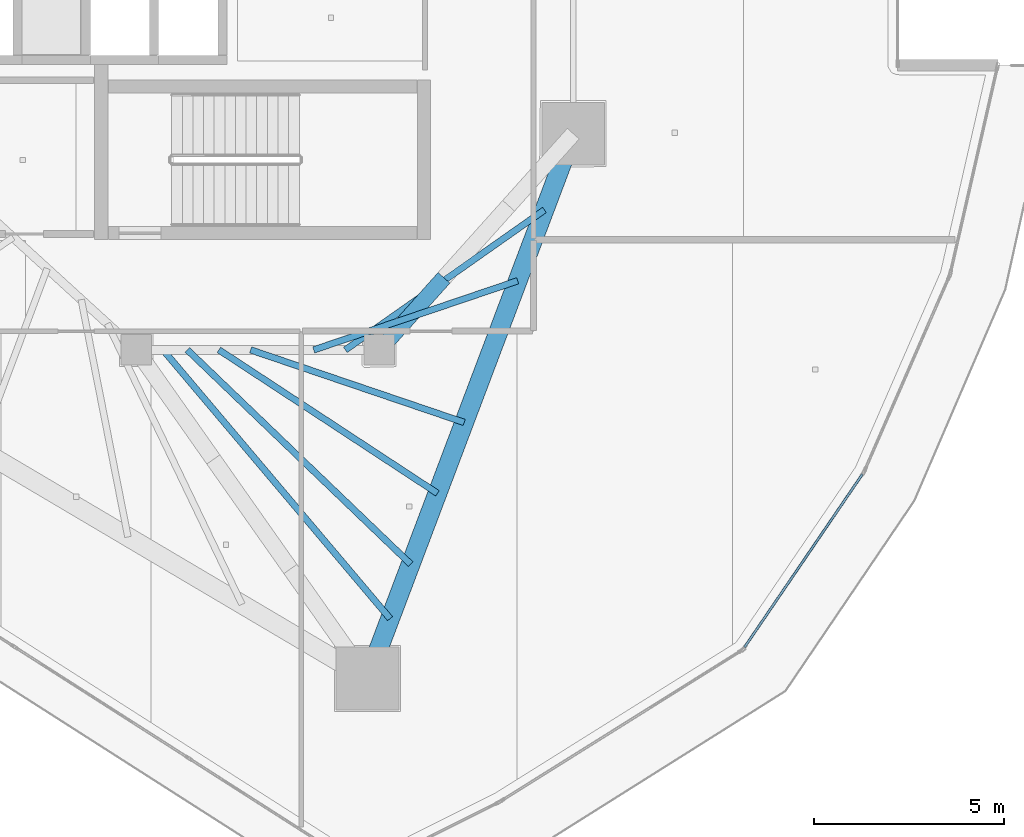
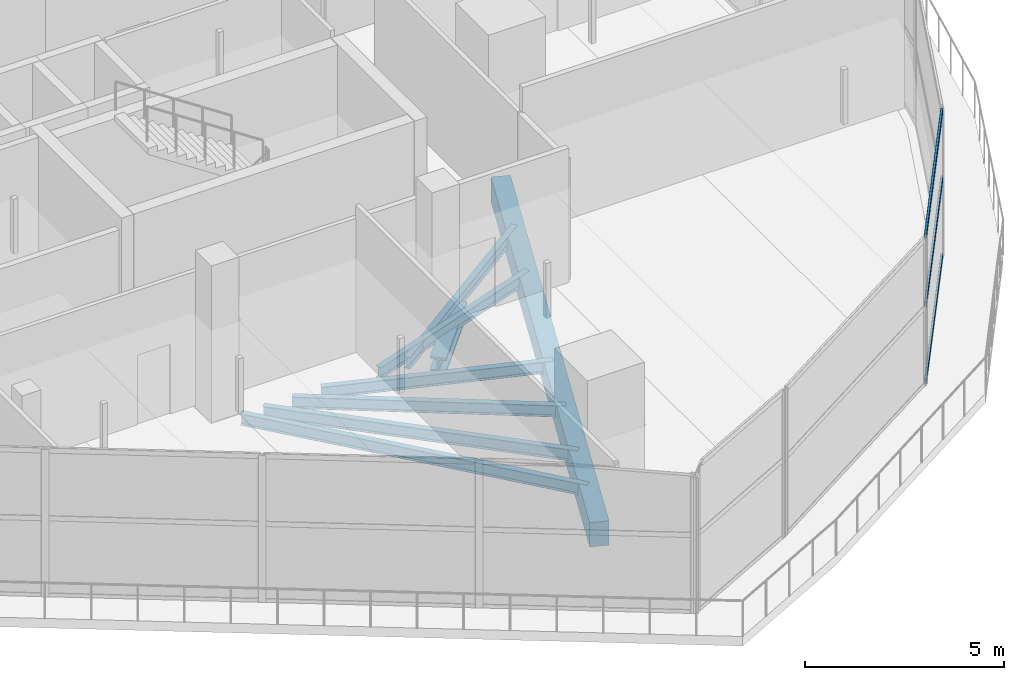
# One storey, part 10 of 36: 7 beams, 4 members, 1 element without a shape of its own.
"""IFC4 building model written with IfcOpenShell, lengths in metres."""

from ifc_helpers import new_model, si_unit, direction, frame, origin, origin_2d, place, context, subcontext, project, spatial, rectangle, hollow_rectangle, i_section, extrude, material, layer, layer_set, material_profile, profile_set, type_object, element, aggregate, save


model = new_model("IFC4")

# Units and contexts
model_context = context("Model", 3, precision=1e-05, world=origin(), true_north=direction((0.0, 1.0)))
body_context = subcontext(model_context, "Body", "Model", "MODEL_VIEW")
ifc_project = project(units=[si_unit("LENGTHUNIT", "METRE"), si_unit("AREAUNIT", "SQUARE_METRE"), si_unit("VOLUMEUNIT", "CUBIC_METRE"), si_unit("PLANEANGLEUNIT", "RADIAN"), si_unit("MASSUNIT", "GRAM", prefix="KILO")], contexts=[model_context])

# Site, building, storey
site_placement = place(None, origin())
site = spatial("IfcSite", under=ifc_project, at=site_placement, CompositionType="ELEMENT")
building_placement = place(site_placement, origin())
building = spatial("IfcBuilding", under=site, at=building_placement, Name="Qorvath Tower", CompositionType="ELEMENT")
storey_placement = place(building_placement, frame((0.0, 0.0, 255.0)))
storey = spatial("IfcBuildingStorey", under=building, at=storey_placement, Name="L59", CompositionType="ELEMENT", Elevation=255.0)

# Beams
ifc_material_1 = material(Name="Steel ASTM A992 Grade 50", Category="steel")
ifc_material_profile_1 = material_profile(ifc_material_1, i_section(OverallWidth=0.1708984375, OverallDepth=0.35107421875, WebThickness=0.0068359375, FlangeThickness=0.009765625, FilletRadius=0.010009765625, at=origin_2d()), Name="W14x30")
ifc_profile_set_1 = profile_set([ifc_material_profile_1], Name="Steel ASTM A992 Grade 50")
beam_type_1 = type_object("IfcBeamType", Name="BM-FJ4", PredefinedType="JOIST", material=ifc_profile_set_1)
beam_1_placement = place(storey_placement, frame((-18.095947265625, -11.449951171875, -0.4755859375), z_axis=(0.818093318203, 0.575085491655, 0.0), x_axis=(-0.575085491655, 0.818093318203, 0.0)))
element("IfcBeam", 1, at=beam_1_placement, inside=storey, type_object=beam_type_1, Name="Composite Floor Joist SE1 L59", PredefinedType="JOIST", context=body_context, shape_type="SweptSolid", body=[
    extrude(i_section(OverallWidth=0.1708984375, OverallDepth=0.35107421875, WebThickness=0.0068359375, FlangeThickness=0.009765625, FilletRadius=0.010009765625, at=origin_2d()), origin(), (0.0, 0.0, 1.0), 6.40576171875),
])
beam_2_placement = place(storey_placement, frame((-18.927978515625, -11.449951171875, -0.4755859375), z_axis=(0.947086298547, 0.32097903842, 0.0), x_axis=(-0.32097903842, 0.947086298547, 0.0)))
element("IfcBeam", 2, at=beam_2_placement, inside=storey, type_object=beam_type_1, Name="Composite Floor Joist SE2 L59", PredefinedType="JOIST", context=body_context, shape_type="SweptSolid", body=[
    extrude(i_section(OverallWidth=0.1708984375, OverallDepth=0.35107421875, WebThickness=0.0068359375, FlangeThickness=0.009765625, FilletRadius=0.010009765625, at=origin_2d()), origin(), (0.0, 0.0, 1.0), 5.66796875),
])
beam_3_placement = place(storey_placement, frame((-20.592041015625, -11.449951171875, -0.4755859375), z_axis=(0.946863164885, -0.321636669216, 0.0), x_axis=(0.321636669216, 0.946863164885, 0.0)))
element("IfcBeam", 3, at=beam_3_placement, inside=storey, type_object=beam_type_1, Name="Composite Floor Joist SE4 L59", PredefinedType="JOIST", context=body_context, shape_type="SweptSolid", body=[
    extrude(i_section(OverallWidth=0.1708984375, OverallDepth=0.35107421875, WebThickness=0.0068359375, FlangeThickness=0.009765625, FilletRadius=0.010009765625, at=origin_2d()), origin(), (0.0, 0.0, 1.0), 5.93896484375),
])
beam_4_placement = place(storey_placement, frame((-21.424072265625, -11.449951171875, -0.4755859375), z_axis=(0.835992964387, -0.548740160272, 0.0), x_axis=(0.548740160272, 0.835992964387, 0.0)))
element("IfcBeam", 4, at=beam_4_placement, inside=storey, type_object=beam_type_1, Name="Composite Floor Joist SE5 L59", PredefinedType="JOIST", context=body_context, shape_type="SweptSolid", body=[
    extrude(i_section(OverallWidth=0.1708984375, OverallDepth=0.35107421875, WebThickness=0.0068359375, FlangeThickness=0.009765625, FilletRadius=0.010009765625, at=origin_2d()), origin(), (0.0, 0.0, 1.0), 6.879150390625),
])
beam_5_placement = place(storey_placement, frame((-22.256103515625, -11.449951171875, -0.4755859375), z_axis=(0.721625044611, -0.692284114356, 0.0), x_axis=(0.692284114356, 0.721625044611, 0.0)))
element("IfcBeam", 5, at=beam_5_placement, inside=storey, type_object=beam_type_1, Name="Composite Floor Joist SE6 L59", PredefinedType="JOIST", context=body_context, shape_type="SweptSolid", body=[
    extrude(i_section(OverallWidth=0.1708984375, OverallDepth=0.35107421875, WebThickness=0.0068359375, FlangeThickness=0.009765625, FilletRadius=0.010009765625, at=origin_2d()), origin(), (0.0, 0.0, 1.0), 8.14599609375),
])
beam_6_placement = place(storey_placement, frame((-22.89599609375, -11.449951171875, -0.4755859375), z_axis=(0.645381885676, -0.763860079885, 0.0), x_axis=(0.763860079885, 0.645381885676, 0.0)))
element("IfcBeam", 6, at=beam_6_placement, inside=storey, type_object=beam_type_1, Name="Composite Floor Joist SE7 L59", PredefinedType="JOIST", context=body_context, shape_type="SweptSolid", body=[
    extrude(i_section(OverallWidth=0.1708984375, OverallDepth=0.35107421875, WebThickness=0.0068359375, FlangeThickness=0.009765625, FilletRadius=0.010009765625, at=origin_2d()), origin(), (0.0, 0.0, 1.0), 9.260498046875),
])
ifc_material_2 = material(Name="Concrete C45/55", Category="concrete")
ifc_material_profile_2 = material_profile(ifc_material_2, rectangle(XDim=0.5, YDim=0.75, at=origin_2d()), Name="RCB 750x500")
ifc_profile_set_2 = profile_set([ifc_material_profile_2], Name="Concrete C45/55")
beam_type_2 = type_object("IfcBeamType", Name="BM-RCB3", PredefinedType="SPANDREL", material=ifc_profile_set_2)
beam_7_placement = place(storey_placement, frame((-17.515380859375, -20.1015625, -0.675048828125), z_axis=(0.353397781952, 0.935473146441, 0.0), x_axis=(-0.935473146441, 0.353397781952, 0.0)))
element("IfcBeam", 7, at=beam_7_placement, inside=storey, type_object=beam_type_2, Name="Perimeter Loggia Frame Beam MC3-MC4 L59", PredefinedType="SPANDREL", context=body_context, shape_type="SweptSolid", body=[
    extrude(rectangle(XDim=0.5, YDim=0.75, at=origin_2d()), origin(), (0.0, 0.0, 1.0), 15.333251953125),
])

# Curtain wall, members
ifc_material_3 = material(Name="Anodised aluminium and triple low-E glass", Category="aluminium")
ifc_layer = layer(ifc_material_3, 0.179931640625)
ifc_layer_set = layer_set([ifc_layer], Name="CW-SYS-5")
curtain_wall_type = type_object("IfcCurtainWallType", Name="CW-SYS-5", PredefinedType="NOTDEFINED", material=ifc_layer_set)
curtain_wall_placement = place(storey_placement, origin())
curtain_wall = element("IfcCurtainWall", 8, at=curtain_wall_placement, inside=storey, type_object=curtain_wall_type, Name="Curtain Wall CW-5 CW-T-L59-5.1", PredefinedType="NOTDEFINED")
ifc_material_4 = material(Name="Anodised aluminium 6063-T6", Category="aluminium")
ifc_material_profile_3 = material_profile(ifc_material_4, hollow_rectangle(XDim=0.06494140625, YDim=0.159912109375, WallThickness=0.00341796875, InnerFilletRadius=0.00341796875, OuterFilletRadius=0.007080078125, at=origin_2d()), Name="CWT 160x65")
ifc_profile_set_3 = profile_set([ifc_material_profile_3], Name="Anodised aluminium 6063-T6")
member_type_1 = type_object("IfcMemberType", Name="CWT-160", PredefinedType="USERDEFINED", material=ifc_profile_set_3)
member_1_placement = place(storey_placement, frame((-7.588134765625, -19.276611328125, 0.032470703125), z_axis=(0.5631168418, 0.826377288218, 0.0), x_axis=(-0.826377288218, 0.5631168418, 0.0)))
member_1 = element("IfcMember", 9, at=member_1_placement, type_object=member_type_1, Name="CW-5 transom 1.1", ObjectType="TRANSOM", PredefinedType="USERDEFINED", context=body_context, shape_type="SweptSolid", body=[
    extrude(hollow_rectangle(XDim=0.06494140625, YDim=0.159912109375, WallThickness=0.00341796875, InnerFilletRadius=0.00341796875, OuterFilletRadius=0.007080078125, at=origin_2d()), origin(), (0.0, 0.0, 1.0), 5.510498046875),
])
member_2_placement = place(storey_placement, frame((-7.588134765625, -19.276611328125, 2.39990234375), z_axis=(0.5631168418, 0.826377288218, 0.0), x_axis=(-0.826377288218, 0.5631168418, 0.0)))
member_2 = element("IfcMember", 10, at=member_2_placement, type_object=member_type_1, Name="CW-5 transom 1.2", ObjectType="TRANSOM", PredefinedType="USERDEFINED", context=body_context, shape_type="SweptSolid", body=[
    extrude(hollow_rectangle(XDim=0.06494140625, YDim=0.159912109375, WallThickness=0.00341796875, InnerFilletRadius=0.00341796875, OuterFilletRadius=0.007080078125, at=origin_2d()), origin(), (0.0, 0.0, 1.0), 5.510498046875),
])
member_3_placement = place(storey_placement, frame((-7.588134765625, -19.276611328125, 4.4775390625), z_axis=(0.5631168418, 0.826377288218, 0.0), x_axis=(-0.826377288218, 0.5631168418, 0.0)))
member_3 = element("IfcMember", 11, at=member_3_placement, type_object=member_type_1, Name="CW-5 transom 1.3", ObjectType="TRANSOM", PredefinedType="USERDEFINED", context=body_context, shape_type="SweptSolid", body=[
    extrude(hollow_rectangle(XDim=0.06494140625, YDim=0.159912109375, WallThickness=0.00341796875, InnerFilletRadius=0.00341796875, OuterFilletRadius=0.007080078125, at=origin_2d()), origin(), (0.0, 0.0, 1.0), 5.510498046875),
])
aggregate(curtain_wall, [member_1, member_2, member_3])

# Member
ifc_material_5 = material(Name="Steel ASTM A913 Grade 65", Category="steel")
ifc_material_profile_4 = material_profile(ifc_material_5, i_section(OverallWidth=0.4189453125, OverallDepth=0.455078125, WebThickness=0.0419921875, FlangeThickness=0.067626953125, FilletRadius=0.02490234375, at=origin_2d()), Name="W14x370")
ifc_profile_set_4 = profile_set([ifc_material_profile_4], Name="Steel ASTM A913 Grade 65")
member_type_2 = type_object("IfcMemberType", Name="MEM-OT2", PredefinedType="CHORD", material=ifc_profile_set_4)
member_4_placement = place(storey_placement, frame((-17.199951171875, -11.449951171875, -0.85009765625), z_axis=(0.66753952077, 0.744574367146, 0.0), x_axis=(-0.744574367146, 0.66753952077, 0.0)))
element("IfcMember", 12, at=member_4_placement, inside=storey, type_object=member_type_2, Name="Outrigger and Belt Truss Top Chord OB3-3.1", PredefinedType="CHORD", context=body_context, shape_type="SweptSolid", body=[
    extrude(i_section(OverallWidth=0.4189453125, OverallDepth=0.455078125, WebThickness=0.0419921875, FlangeThickness=0.067626953125, FilletRadius=0.02490234375, at=origin_2d()), origin(), (0.0, 0.0, 1.0), 2.548095703125),
])

save(model, "model.ifc")
